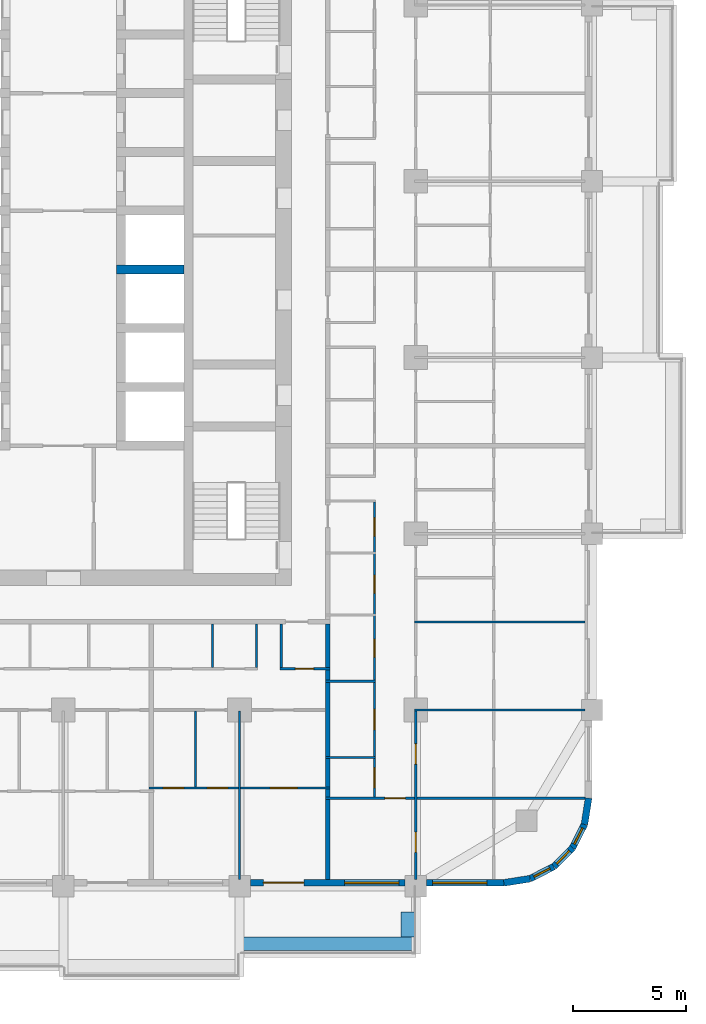
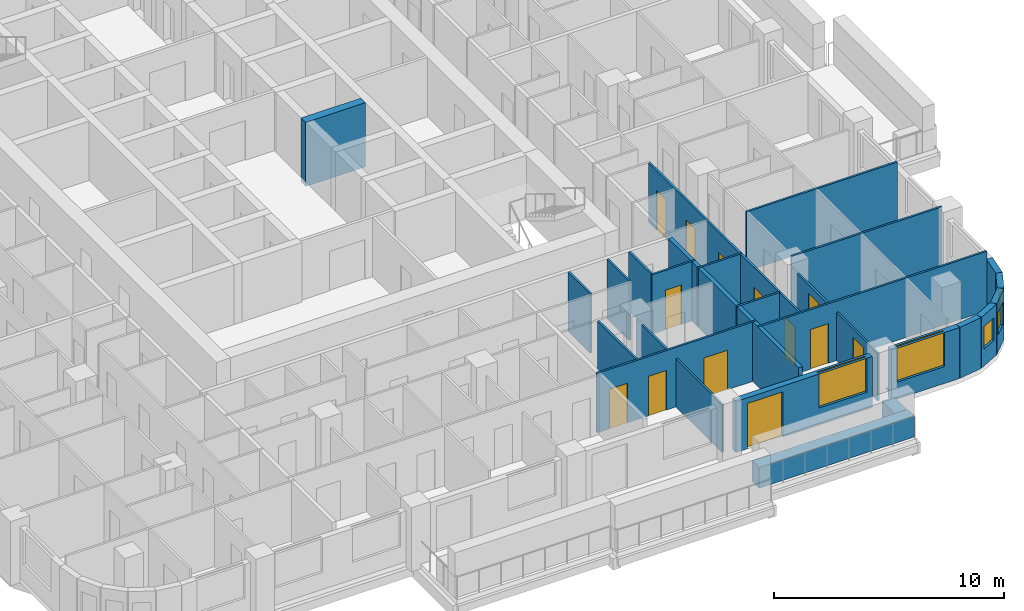
# One storey, part 7 of 17: 25 walls, 13 doors, 5 windows, 18 openings.
"""IFC4 building model written with IfcOpenShell, lengths in metres."""

import ifcopenshell
import ifcopenshell.guid

model = None  # the IFC model being written
_history = None  # IfcOwnerHistory: only IFC2X3 demands one
_inside = {}  # id of a spatial element -> (the spatial element, [elements in it])
_under = {}  # id of a project, library or spatial element -> (it, [spatial elements below it])
_declared = {}  # id of a project -> (the project, [libraries it declares])
_typed = {}  # id of a type object -> (the type object, [elements of that type])
_made_of = {}  # id of a material, layer set ... -> (it, [elements and type objects made of it])


def new_model(schema):
    """Start an empty IFC model of exactly this schema.

    Asked for "IFC4X3", IfcOpenShell would pick the latest addendum, in which some entities
    have other attributes; the version numbers below select the first issue.
    IFC2X3 requires an IfcOwnerHistory on every rooted entity: one is made here for all.
    """
    global model, _history
    if schema == "IFC4X3":
        model = ifcopenshell.file(schema_version=(4, 3, 0, 0))
    else:
        model = ifcopenshell.file(schema=schema)
    _inside.clear()
    _under.clear()
    _declared.clear()
    _typed.clear()
    _made_of.clear()
    _history = None
    if model.schema == "IFC2X3":
        org = make("IfcOrganization", Name="unknown")
        user = make(
            "IfcPersonAndOrganization",
            ThePerson=make("IfcPerson", FamilyName="unknown"),
            TheOrganization=org,
        )
        app = make(
            "IfcApplication",
            ApplicationDeveloper=org,
            Version="unknown",
            ApplicationFullName="unknown",
            ApplicationIdentifier="unknown",
        )
        _history = make(
            "IfcOwnerHistory",
            OwningUser=user,
            OwningApplication=app,
            ChangeAction="ADDED",
            CreationDate=0,
        )
    return model


def make(cls, **values):
    """One entity of the class cls with the attributes given. An attribute that is None is left unset."""
    return model.create_entity(
        cls, **{name: value for name, value in values.items() if value is not None}
    )


def rooted(cls, **values):
    """An entity with a GlobalId (a new one), such as an element, a storey or a relation."""
    return make(cls, GlobalId=ifcopenshell.guid.new(), OwnerHistory=_history, **values)


def si_unit(unit_type, name, prefix=None):
    """IfcSIUnit, for example si_unit("LENGTHUNIT", "METRE", prefix="MILLI")."""
    return make("IfcSIUnit", UnitType=unit_type, Prefix=prefix, Name=name)


def assignment(units):
    """IfcUnitAssignment: the units of a project."""
    return None if units is None else make("IfcUnitAssignment", Units=units)


def point(xyz):
    """IfcCartesianPoint."""
    return None if xyz is None else make("IfcCartesianPoint", Coordinates=xyz)


def direction(xyz):
    """IfcDirection."""
    return None if xyz is None else make("IfcDirection", DirectionRatios=xyz)


def frame(location, z_axis=None, x_axis=None):
    """IfcAxis2Placement3D, a coordinate frame: its origin and axes. An axis left out is left unset."""
    return make(
        "IfcAxis2Placement3D",
        Location=point(location),
        Axis=direction(z_axis),
        RefDirection=direction(x_axis),
    )


def frame_2d(location, x_axis=None):
    """IfcAxis2Placement2D, a coordinate frame in the plane: its origin and x axis."""
    return make(
        "IfcAxis2Placement2D", Location=point(location), RefDirection=direction(x_axis)
    )


def origin():
    """The frame at (0, 0, 0) with its axes left unset."""
    return frame((0.0, 0.0, 0.0))


def place(relative_to, where):
    """IfcLocalPlacement: puts the frame where relative to a parent placement (None: the world)."""
    return make(
        "IfcLocalPlacement", PlacementRelTo=relative_to, RelativePlacement=where
    )


def context(
    kind, dimensions, precision=None, world=None, true_north=None, identifier=None
):
    """IfcGeometricRepresentationContext, for example the 3D "Model" context."""
    return make(
        "IfcGeometricRepresentationContext",
        ContextIdentifier=identifier,
        ContextType=kind,
        CoordinateSpaceDimension=dimensions,
        Precision=precision,
        WorldCoordinateSystem=world,
        TrueNorth=true_north,
    )


def subcontext(parent, identifier, kind, view, scale=None):
    """IfcGeometricRepresentationSubContext, for example "Body" below "Model"."""
    return make(
        "IfcGeometricRepresentationSubContext",
        ContextIdentifier=identifier,
        ContextType=kind,
        ParentContext=parent,
        TargetScale=scale,
        TargetView=view,
    )


def project(units=None, contexts=None):
    """IfcProject with its units and contexts."""
    return rooted(
        "IfcProject",
        Name="project",
        RepresentationContexts=contexts,
        UnitsInContext=assignment(units),
    )


def spatial(cls, under=None, at=None, **own):
    """A site, building, storey or space (cls), placed at a placement, below another one or the project."""
    s = rooted(cls, ObjectPlacement=at, **own)
    if under is not None:
        _under.setdefault(under.id(), (under, []))[1].append(s)
    return s


def profile(cls, at=None, kind="AREA", **sizes):
    """A parametric profile (cls). Its sizes go by their IFC names, for example OverallWidth=200.0."""
    return make(cls, ProfileType=kind, Position=at, **sizes)


def rectangle(**sizes):
    """IfcRectangleProfileDef."""
    return profile("IfcRectangleProfileDef", **sizes)


def extrude(swept, where, along, depth):
    """IfcExtrudedAreaSolid: the profile swept, set in the frame where, extruded along a direction by depth."""
    return make(
        "IfcExtrudedAreaSolid",
        SweptArea=swept,
        Position=where,
        ExtrudedDirection=direction(along),
        Depth=depth,
    )


def shape(context_of_items, identifier, shape_type, items):
    """IfcShapeRepresentation: the items that make up one representation, for example the "Body"."""
    return make(
        "IfcShapeRepresentation",
        ContextOfItems=context_of_items,
        RepresentationIdentifier=identifier,
        RepresentationType=shape_type,
        Items=items,
    )


def material(Name=None, Category=None):
    """IfcMaterial."""
    return make("IfcMaterial", Name=Name, Category=Category)


def layer(
    of_material, thickness, ventilated=None, Name=None, Category=None, Priority=None
):
    """IfcMaterialLayer: one layer of a wall or slab, of a material (None: an air gap)."""
    return make(
        "IfcMaterialLayer",
        Material=of_material,
        LayerThickness=thickness,
        IsVentilated=ventilated,
        Name=Name,
        Category=Category,
        Priority=Priority,
    )


def layer_set(layers, Name=None):
    """IfcMaterialLayerSet."""
    return make("IfcMaterialLayerSet", MaterialLayers=layers, LayerSetName=Name)


def made_of(thing, what):
    """Note that an element or type object is made of a material, layer set ...; save() writes the relation."""
    if what is not None:
        _made_of.setdefault(what.id(), (what, []))[1].append(thing)
    return thing


def type_object(cls, material=None, **own):
    """A type object (cls), such as IfcWallType, which elements share."""
    return made_of(rooted(cls, **own), material)


def element(
    cls,
    number,
    at=None,
    inside=None,
    cuts=None,
    type_object=None,
    material=None,
    context=None,
    identifier="Body",
    shape_type=None,
    held_by="IfcProductDefinitionShape",
    body=None,
    shapes=None,
    **own,
):
    """One element of the class cls, such as IfcWall. Its Tag is "e" and its number.

    at: its placement. inside: the storey or other place that contains it. cuts: it is an
    opening in that element (IfcRelVoidsElement). A single representation is given by context,
    identifier, shape_type and body (its items); several are given by shapes. held_by: the class
    of the entity that holds the representations. save() writes the other relations.
    """
    e = rooted(cls, Tag="e%d" % number, ObjectPlacement=at, **own)
    if body is not None:
        shapes = [shape(context, identifier, shape_type, body)]
    if shapes is not None:
        e.Representation = make(held_by, Representations=shapes)
    if inside is not None:
        _inside.setdefault(inside.id(), (inside, []))[1].append(e)
    if cuts is not None:
        rooted(
            "IfcRelVoidsElement", RelatingBuildingElement=cuts, RelatedOpeningElement=e
        )
    if type_object is not None:
        _typed.setdefault(type_object.id(), (type_object, []))[1].append(e)
    return made_of(e, material)


def fill(opening, filler):
    """IfcRelFillsElement: the door or window that sits in an opening."""
    return rooted(
        "IfcRelFillsElement",
        RelatingOpeningElement=opening,
        RelatedBuildingElement=filler,
    )


def aggregate(whole, parts):
    """IfcRelAggregates: a whole, such as a stair, and the parts it consists of."""
    return rooted("IfcRelAggregates", RelatingObject=whole, RelatedObjects=parts)


def save(model, path):
    """Write the relations noted so far, then the file.

    IfcRelAggregates (storeys below a building ...), IfcRelContainedInSpatialStructure (elements
    in a storey), IfcRelDefinesByType, IfcRelAssociatesMaterial and IfcRelDeclares: one each for
    every whole, place, type object, material and project.
    """
    for whole, parts in _under.values():
        aggregate(whole, parts)
    for where, things in _inside.values():
        rooted(
            "IfcRelContainedInSpatialStructure",
            RelatedElements=things,
            RelatingStructure=where,
        )
    for kind, things in _typed.values():
        rooted("IfcRelDefinesByType", RelatedObjects=things, RelatingType=kind)
    for what, things in _made_of.values():
        rooted("IfcRelAssociatesMaterial", RelatedObjects=things, RelatingMaterial=what)
    for by, libraries in _declared.values():
        rooted("IfcRelDeclares", RelatingContext=by, RelatedDefinitions=libraries)
    model.write(path)


model = new_model("IFC4")

# Units and contexts
model_context = context("Model", 3, precision=1e-05, world=origin(), true_north=direction((0.0, 1.0)))
body_context = subcontext(model_context, "Body", "Model", "MODEL_VIEW")
ifc_project = project(units=[si_unit("LENGTHUNIT", "METRE"), si_unit("AREAUNIT", "SQUARE_METRE"), si_unit("VOLUMEUNIT", "CUBIC_METRE"), si_unit("PLANEANGLEUNIT", "RADIAN"), si_unit("MASSUNIT", "GRAM", prefix="KILO")], contexts=[model_context])

# Site, building, storey
site_placement = place(None, origin())
site = spatial("IfcSite", under=ifc_project, at=site_placement, CompositionType="ELEMENT")
building_placement = place(site_placement, origin())
building = spatial("IfcBuilding", under=site, at=building_placement, Name="Ludao Terraces", CompositionType="ELEMENT")
storey_placement = place(building_placement, frame((0.0, 0.0, 85.199951171875)))
storey = spatial("IfcBuildingStorey", under=building, at=storey_placement, Name="L23", CompositionType="ELEMENT", Elevation=85.199951171875)

# Walls
ifc_material_1 = material(Name="Concrete C40", Category="concrete")
ifc_layer_1 = layer(ifc_material_1, 0.60009765625)
ifc_layer_set_1 = layer_set([ifc_layer_1], Name="ENV Planter trough 600")
wall_type_1 = type_object("IfcWallType", Name="ENV Planter trough 600", PredefinedType="USERDEFINED", material=ifc_layer_set_1)
wall_1_placement = place(storey_placement, frame((92.800048828125, 39.050048828125, 0.0), z_axis=(0.0, 0.0, 1.0), x_axis=(1.0, 0.0, 0.0)))
element("IfcWall", 1, at=wall_1_placement, inside=storey, type_object=wall_type_1, Name="PL-L23-S4", ObjectType="PLANTER", PredefinedType="USERDEFINED", context=body_context, shape_type="SweptSolid", body=[
    extrude(rectangle(XDim=7.800048828125, YDim=0.60009765625, at=frame_2d((3.89990234375, 0.0))), origin(), (0.0, 0.0, 1.0), 1.10009765625),
])
wall_2_placement = place(storey_placement, frame((100.25, 39.35009765625, 0.0), z_axis=(0.0, 0.0, 1.0), x_axis=(0.0, 1.0, 0.0)))
element("IfcWall", 2, at=wall_2_placement, inside=storey, type_object=wall_type_1, Name="PL-L23-S4-SB", ObjectType="PLANTER", PredefinedType="USERDEFINED", context=body_context, shape_type="SweptSolid", body=[
    extrude(rectangle(XDim=1.099853515625, YDim=0.60009765625, at=frame_2d((0.5498046875, 0.0))), origin(), (0.0, 0.0, 1.0), 1.10009765625),
])

# Wall, openings, door, window
ifc_material_2 = material(Name="Granite cladding", Category="masonry")
ifc_layer_2 = layer(ifc_material_2, 0.0400390625, Category="stone")
ifc_material_3 = material(Name="Mineral wool")
ifc_layer_3 = layer(ifc_material_3, 0.06005859375)
ifc_layer_4 = layer(ifc_material_1, 0.199951171875, Category="concrete")
ifc_layer_set_2 = layer_set([ifc_layer_2, ifc_layer_3, ifc_layer_4], Name="ENV Stone-clad wall 300")
wall_type_2 = type_object("IfcWallType", Name="ENV Stone-clad wall 300", PredefinedType="SOLIDWALL", material=ifc_layer_set_2)
wall_3_placement = place(storey_placement, frame((93.27490234375, 41.75, 0.0), z_axis=(0.0, 0.0, 1.0), x_axis=(1.0, 0.0, 0.0)))
wall_3 = element("IfcWall", 3, at=wall_3_placement, inside=storey, type_object=wall_type_2, Name="EW-L23-S5", PredefinedType="SOLIDWALL", context=body_context, shape_type="SweptSolid", body=[
    extrude(rectangle(XDim=6.85009765625, YDim=0.300048828125, at=frame_2d((3.425048828125, 0.0))), origin(), (0.0, 0.0, 1.0), 2.699951171875),
])
opening_1_placement = place(wall_3_placement, frame((0.574951171875, 0.0, 0.0)))
opening_1 = element("IfcOpeningElement", 4, at=opening_1_placement, cuts=wall_3, Name="Opening BD", PredefinedType="OPENING", context=body_context, shape_type="SweptSolid", body=[
    extrude(rectangle(XDim=1.800048828125, YDim=2.39990234375, at=frame_2d((0.89990234375, 1.199951171875))), frame((0.0, 0.16015625, 0.0), z_axis=(0.0, -1.0, 0.0), x_axis=(1.0, 0.0, 0.0)), (0.0, 0.0, 1.0), 0.320068359375),
])
opening_2_placement = place(wall_3_placement, frame((4.175048828125, 0.0, 0.89990234375)))
opening_2 = element("IfcOpeningElement", 5, at=opening_2_placement, cuts=wall_3, Name="Opening W1", PredefinedType="OPENING", context=body_context, shape_type="SweptSolid", body=[
    extrude(rectangle(XDim=2.39990234375, YDim=1.800048828125, at=frame_2d((1.199951171875, 0.89990234375))), frame((0.0, 0.16015625, 0.0), z_axis=(0.0, -1.0, 0.0), x_axis=(1.0, 0.0, 0.0)), (0.0, 0.0, 1.0), 0.320068359375),
])
ifc_material_4 = material(Name="Aluminium glazed door", Category="aluminium")
ifc_layer_5 = layer(ifc_material_4, 0.06005859375)
ifc_layer_set_3 = layer_set([ifc_layer_5], Name="ENV Balcony door BD 1800x2400")
door_type_1 = type_object("IfcDoorType", Name="ENV Balcony door BD 1800x2400", OperationType="DOUBLE_DOOR_SINGLE_SWING", PredefinedType="DOOR", material=ifc_layer_set_3)
door_1_placement = place(opening_1_placement, origin())
door_1 = element("IfcDoor", 6, at=door_1_placement, inside=storey, type_object=door_type_1, Name="BD-L23-S5-1", OperationType="DOUBLE_DOOR_SINGLE_SWING", OverallHeight=2.39990234375, OverallWidth=1.800048828125, PredefinedType="DOOR", context=body_context, shape_type="SweptSolid", body=[
    extrude(rectangle(XDim=1.800048828125, YDim=2.39990234375, at=frame_2d((0.89990234375, 1.199951171875))), frame((0.0, 0.02490234375, 0.0), z_axis=(0.0, -1.0, 0.0), x_axis=(1.0, 0.0, 0.0)), (0.0, 0.0, 1.0), 0.050048828125),
])
fill(opening_1, door_1)
ifc_material_5 = material(Name="Clear glass in aluminium frame", Category="aluminium")
ifc_layer_6 = layer(ifc_material_5, 0.06005859375)
ifc_layer_set_4 = layer_set([ifc_layer_6], Name="ENV Window W1 2400x1800")
window_type_1 = type_object("IfcWindowType", Name="ENV Window W1 2400x1800", PartitioningType="DOUBLE_PANEL_VERTICAL", PredefinedType="WINDOW", material=ifc_layer_set_4)
window_1_placement = place(opening_2_placement, origin())
window_1 = element("IfcWindow", 7, at=window_1_placement, inside=storey, type_object=window_type_1, Name="W-L23-S5-2", OverallHeight=1.800048828125, OverallWidth=2.39990234375, PartitioningType="DOUBLE_PANEL_VERTICAL", PredefinedType="WINDOW", context=body_context, shape_type="SweptSolid", body=[
    extrude(rectangle(XDim=2.39990234375, YDim=1.800048828125, at=frame_2d((1.199951171875, 0.89990234375))), frame((0.0, 0.030029296875, 0.0), z_axis=(0.0, -1.0, 0.0), x_axis=(1.0, 0.0, 0.0)), (0.0, 0.0, 1.0), 0.06005859375),
])
fill(opening_2, window_1)

# Wall, opening, window
wall_4_placement = place(storey_placement, frame((101.074951171875, 41.75, 0.0), z_axis=(0.0, 0.0, 1.0), x_axis=(1.0, 0.0, 0.0)))
wall_4 = element("IfcWall", 8, at=wall_4_placement, inside=storey, type_object=wall_type_2, Name="EW-L23-S6", PredefinedType="SOLIDWALL", context=body_context, shape_type="SweptSolid", body=[
    extrude(rectangle(XDim=3.425048828125, YDim=0.300048828125, at=frame_2d((1.71240234375, 0.0))), origin(), (0.0, 0.0, 1.0), 2.699951171875),
])
opening_3_placement = place(wall_4_placement, frame((0.27490234375, 0.0, 0.89990234375)))
opening_3 = element("IfcOpeningElement", 9, at=opening_3_placement, cuts=wall_4, Name="Opening W1", PredefinedType="OPENING", context=body_context, shape_type="SweptSolid", body=[
    extrude(rectangle(XDim=2.39990234375, YDim=1.800048828125, at=frame_2d((1.199951171875, 0.89990234375))), frame((0.0, 0.16015625, 0.0), z_axis=(0.0, -1.0, 0.0), x_axis=(1.0, 0.0, 0.0)), (0.0, 0.0, 1.0), 0.320068359375),
])
window_2_placement = place(opening_3_placement, origin())
window_2 = element("IfcWindow", 10, at=window_2_placement, inside=storey, type_object=window_type_1, Name="W-L23-S6-1", OverallHeight=1.800048828125, OverallWidth=2.39990234375, PartitioningType="DOUBLE_PANEL_VERTICAL", PredefinedType="WINDOW", context=body_context, shape_type="SweptSolid", body=[
    extrude(rectangle(XDim=2.39990234375, YDim=1.800048828125, at=frame_2d((1.199951171875, 0.89990234375))), frame((0.0, 0.030029296875, 0.0), z_axis=(0.0, -1.0, 0.0), x_axis=(1.0, 0.0, 0.0)), (0.0, 0.0, 1.0), 0.06005859375),
])
fill(opening_3, window_2)

# Wall
wall_5_placement = place(storey_placement, frame((104.5, 41.75, 0.0), z_axis=(0.0, 0.0, 1.0), x_axis=(0.987678452879, 0.156496880861, 0.0)))
element("IfcWall", 11, at=wall_5_placement, inside=storey, type_object=wall_type_2, Name="EW-L23-SE1", PredefinedType="SOLIDWALL", context=body_context, shape_type="SweptSolid", body=[
    extrude(rectangle(XDim=1.173095703125, YDim=0.300048828125, at=frame_2d((0.58642578125, 0.0))), origin(), (0.0, 0.0, 1.0), 2.699951171875),
])

# Wall, opening, window
wall_6_placement = place(storey_placement, frame((105.65869140625, 41.93359375, 0.0), z_axis=(0.0, 0.0, 1.0), x_axis=(0.890988677504, 0.454025524128, 0.0)))
wall_6 = element("IfcWall", 12, at=wall_6_placement, inside=storey, type_object=wall_type_2, Name="EW-L23-SE2", PredefinedType="SOLIDWALL", context=body_context, shape_type="SweptSolid", body=[
    extrude(rectangle(XDim=1.17333984375, YDim=0.300048828125, at=frame_2d((0.586669921875, 0.0))), origin(), (0.0, 0.0, 1.0), 2.699951171875),
])
opening_4_placement = place(wall_6_placement, frame((0.1865234375, 0.0, 0.89990234375)))
opening_4 = element("IfcOpeningElement", 13, at=opening_4_placement, cuts=wall_6, Name="Opening W3", PredefinedType="OPENING", context=body_context, shape_type="SweptSolid", body=[
    extrude(rectangle(XDim=0.800048828125, YDim=1.199951171875, at=frame_2d((0.39990234375, 0.60009765625))), frame((0.0, 0.16015625, 0.0), z_axis=(0.0, -1.0, 0.0), x_axis=(1.0, 0.0, 0.0)), (0.0, 0.0, 1.0), 0.320068359375),
])
ifc_layer_7 = layer(ifc_material_5, 0.06005859375)
ifc_layer_set_5 = layer_set([ifc_layer_7], Name="ENV Window W3 800x1200")
window_type_2 = type_object("IfcWindowType", Name="ENV Window W3 800x1200", PartitioningType="SINGLE_PANEL", PredefinedType="WINDOW", material=ifc_layer_set_5)
window_3_placement = place(opening_4_placement, origin())
window_3 = element("IfcWindow", 14, at=window_3_placement, inside=storey, type_object=window_type_2, Name="W-L23-SE2", OverallHeight=1.199951171875, OverallWidth=0.800048828125, PartitioningType="SINGLE_PANEL", PredefinedType="WINDOW", context=body_context, shape_type="SweptSolid", body=[
    extrude(rectangle(XDim=0.800048828125, YDim=1.199951171875, at=frame_2d((0.39990234375, 0.60009765625))), frame((0.0, 0.030029296875, 0.0), z_axis=(0.0, -1.0, 0.0), x_axis=(1.0, 0.0, 0.0)), (0.0, 0.0, 1.0), 0.06005859375),
])
fill(opening_4, window_3)

wall_7_placement = place(storey_placement, frame((106.7041015625, 42.46630859375, 0.0), z_axis=(0.0, 0.0, 1.0), x_axis=(0.707106781187, 0.707106781187, 0.0)))
wall_7 = element("IfcWall", 15, at=wall_7_placement, inside=storey, type_object=wall_type_2, Name="EW-L23-SE3", PredefinedType="SOLIDWALL", context=body_context, shape_type="SweptSolid", body=[
    extrude(rectangle(XDim=1.173095703125, YDim=0.300048828125, at=frame_2d((0.58642578125, 0.0))), origin(), (0.0, 0.0, 1.0), 2.699951171875),
])
opening_5_placement = place(wall_7_placement, frame((0.1865234375, 0.0, 0.89990234375)))
opening_5 = element("IfcOpeningElement", 16, at=opening_5_placement, cuts=wall_7, Name="Opening W3", PredefinedType="OPENING", context=body_context, shape_type="SweptSolid", body=[
    extrude(rectangle(XDim=0.800048828125, YDim=1.199951171875, at=frame_2d((0.39990234375, 0.60009765625))), frame((0.0, 0.16015625, 0.0), z_axis=(0.0, -1.0, 0.0), x_axis=(1.0, 0.0, 0.0)), (0.0, 0.0, 1.0), 0.320068359375),
])
window_4_placement = place(opening_5_placement, origin())
window_4 = element("IfcWindow", 17, at=window_4_placement, inside=storey, type_object=window_type_2, Name="W-L23-SE3", OverallHeight=1.199951171875, OverallWidth=0.800048828125, PartitioningType="SINGLE_PANEL", PredefinedType="WINDOW", context=body_context, shape_type="SweptSolid", body=[
    extrude(rectangle(XDim=0.800048828125, YDim=1.199951171875, at=frame_2d((0.39990234375, 0.60009765625))), frame((0.0, 0.030029296875, 0.0), z_axis=(0.0, -1.0, 0.0), x_axis=(1.0, 0.0, 0.0)), (0.0, 0.0, 1.0), 0.06005859375),
])
fill(opening_5, window_4)

wall_8_placement = place(storey_placement, frame((107.53369140625, 43.2958984375, 0.0), z_axis=(0.0, 0.0, 1.0), x_axis=(0.454025524128, 0.890988677504, 0.0)))
wall_8 = element("IfcWall", 18, at=wall_8_placement, inside=storey, type_object=wall_type_2, Name="EW-L23-SE4", PredefinedType="SOLIDWALL", context=body_context, shape_type="SweptSolid", body=[
    extrude(rectangle(XDim=1.17333984375, YDim=0.300048828125, at=frame_2d((0.586669921875, 0.0))), origin(), (0.0, 0.0, 1.0), 2.699951171875),
])
opening_6_placement = place(wall_8_placement, frame((0.1865234375, 0.0, 0.89990234375)))
opening_6 = element("IfcOpeningElement", 19, at=opening_6_placement, cuts=wall_8, Name="Opening W3", PredefinedType="OPENING", context=body_context, shape_type="SweptSolid", body=[
    extrude(rectangle(XDim=0.800048828125, YDim=1.199951171875, at=frame_2d((0.39990234375, 0.60009765625))), frame((0.0, 0.16015625, 0.0), z_axis=(0.0, -1.0, 0.0), x_axis=(1.0, 0.0, 0.0)), (0.0, 0.0, 1.0), 0.320068359375),
])
window_5_placement = place(opening_6_placement, origin())
window_5 = element("IfcWindow", 20, at=window_5_placement, inside=storey, type_object=window_type_2, Name="W-L23-SE4", OverallHeight=1.199951171875, OverallWidth=0.800048828125, PartitioningType="SINGLE_PANEL", PredefinedType="WINDOW", context=body_context, shape_type="SweptSolid", body=[
    extrude(rectangle(XDim=0.800048828125, YDim=1.199951171875, at=frame_2d((0.39990234375, 0.60009765625))), frame((0.0, 0.030029296875, 0.0), z_axis=(0.0, -1.0, 0.0), x_axis=(1.0, 0.0, 0.0)), (0.0, 0.0, 1.0), 0.06005859375),
])
fill(opening_6, window_5)

# Wall
wall_9_placement = place(storey_placement, frame((108.06640625, 44.34130859375, 0.0), z_axis=(0.0, 0.0, 1.0), x_axis=(0.156496880861, 0.987678452879, 0.0)))
element("IfcWall", 21, at=wall_9_placement, inside=storey, type_object=wall_type_2, Name="EW-L23-SE5", PredefinedType="SOLIDWALL", context=body_context, shape_type="SweptSolid", body=[
    extrude(rectangle(XDim=1.173095703125, YDim=0.300048828125, at=frame_2d((0.58642578125, 0.0))), origin(), (0.0, 0.0, 1.0), 2.699951171875),
])

# Wall, opening, door
ifc_material_6 = material(Name="Gypsum plasterboard", Category="gypsum")
ifc_layer_8 = layer(ifc_material_6, 0.012451171875, Category="gypsum")
ifc_layer_9 = layer(ifc_material_3, 0.06005859375, Name="insulation")
ifc_material_7 = material(Name="Steel Q235", Category="steel")
ifc_layer_10 = layer(ifc_material_7, 0.014892578125, Name="stud")
ifc_layer_11 = layer(ifc_material_6, 0.012451171875, Category="gypsum")
ifc_layer_set_6 = layer_set([ifc_layer_8, ifc_layer_9, ifc_layer_10, ifc_layer_11], Name="INT Partition 100")
wall_type_3 = type_object("IfcWallType", Name="INT Partition 100", PredefinedType="PARTITIONING", material=ifc_layer_set_6)
wall_10_placement = place(storey_placement, frame((96.60009765625, 45.5, 0.0), z_axis=(0.0, 0.0, 1.0), x_axis=(1.0, 0.0, 0.0)))
wall_10 = element("IfcWall", 22, at=wall_10_placement, inside=storey, type_object=wall_type_3, Name="PW-L23-PW001", PredefinedType="PARTITIONING", context=body_context, shape_type="SweptSolid", body=[
    extrude(rectangle(XDim=11.5, YDim=0.10009765625, at=frame_2d((5.75, 0.0))), origin(), (0.0, 0.0, 1.0), 3.150146484375),
])
opening_7_placement = place(wall_10_placement, frame((2.635009765625, 0.0, 0.0)))
opening_7 = element("IfcOpeningElement", 23, at=opening_7_placement, cuts=wall_10, Name="Opening R07-006", PredefinedType="OPENING", context=body_context, shape_type="SweptSolid", body=[
    extrude(rectangle(XDim=0.89990234375, YDim=2.10009765625, at=frame_2d((0.449951171875, 1.050048828125))), frame((0.0, 0.06005859375, 0.0), z_axis=(0.0, -1.0, 0.0), x_axis=(1.0, 0.0, 0.0)), (0.0, 0.0, 1.0), 0.1201171875),
])
ifc_material_8 = material(Name="Timber door leaf", Category="wood")
door_type_2 = type_object("IfcDoorType", Name="INT Room door 900", OperationType="SINGLE_SWING_LEFT", PredefinedType="DOOR", material=ifc_material_8)
door_2_placement = place(opening_7_placement, origin())
door_2 = element("IfcDoor", 24, at=door_2_placement, inside=storey, type_object=door_type_2, Name="DOOR 006", OperationType="SINGLE_SWING_LEFT", OverallHeight=2.10009765625, OverallWidth=0.89990234375, PredefinedType="DOOR", context=body_context, shape_type="SweptSolid", body=[
    extrude(rectangle(XDim=0.89990234375, YDim=2.10009765625, at=frame_2d((0.449951171875, 1.050048828125))), frame((0.0, 0.02490234375, 0.0), z_axis=(0.0, -1.0, 0.0), x_axis=(1.0, 0.0, 0.0)), (0.0, 0.0, 1.0), 0.050048828125),
])
fill(opening_7, door_2)

# Wall, openings, doors
wall_11_placement = place(storey_placement, frame((88.800048828125, 45.949951171875, 0.0), z_axis=(0.0, 0.0, 1.0), x_axis=(1.0, 0.0, 0.0)))
wall_11 = element("IfcWall", 25, at=wall_11_placement, inside=storey, type_object=wall_type_3, Name="PW-L23-PW003", PredefinedType="PARTITIONING", context=body_context, shape_type="SweptSolid", body=[
    extrude(rectangle(XDim=8.0, YDim=0.10009765625, at=frame_2d((4.0, 0.0))), origin(), (0.0, 0.0, 1.0), 3.150146484375),
])
opening_8_placement = place(wall_11_placement, frame((0.625, 0.0, 0.0)))
opening_8 = element("IfcOpeningElement", 26, at=opening_8_placement, cuts=wall_11, Name="Opening R07-014", PredefinedType="OPENING", context=body_context, shape_type="SweptSolid", body=[
    extrude(rectangle(XDim=0.89990234375, YDim=2.10009765625, at=frame_2d((0.449951171875, 1.050048828125))), frame((0.0, 0.06005859375, 0.0), z_axis=(0.0, -1.0, 0.0), x_axis=(1.0, 0.0, 0.0)), (0.0, 0.0, 1.0), 0.1201171875),
])
opening_9_placement = place(wall_11_placement, frame((2.574951171875, 0.0, 0.0)))
opening_9 = element("IfcOpeningElement", 27, at=opening_9_placement, cuts=wall_11, Name="Opening R07-015", PredefinedType="OPENING", context=body_context, shape_type="SweptSolid", body=[
    extrude(rectangle(XDim=0.89990234375, YDim=2.10009765625, at=frame_2d((0.449951171875, 1.050048828125))), frame((0.0, 0.06005859375, 0.0), z_axis=(0.0, -1.0, 0.0), x_axis=(1.0, 0.0, 0.0)), (0.0, 0.0, 1.0), 0.1201171875),
])
opening_10_placement = place(wall_11_placement, frame((5.35009765625, 0.0, 0.0)))
opening_10 = element("IfcOpeningElement", 28, at=opening_10_placement, cuts=wall_11, Name="Opening R07-016", PredefinedType="OPENING", context=body_context, shape_type="SweptSolid", body=[
    extrude(rectangle(XDim=1.199951171875, YDim=2.10009765625, at=frame_2d((0.60009765625, 1.050048828125))), frame((0.0, 0.06005859375, 0.0), z_axis=(0.0, -1.0, 0.0), x_axis=(1.0, 0.0, 0.0)), (0.0, 0.0, 1.0), 0.1201171875),
])
door_type_3 = type_object("IfcDoorType", Name="INT Bathroom door 900", OperationType="SINGLE_SWING_LEFT", PredefinedType="DOOR", material=ifc_material_8)
door_3_placement = place(opening_8_placement, origin())
door_3 = element("IfcDoor", 29, at=door_3_placement, inside=storey, type_object=door_type_3, Name="DOOR 014", OperationType="SINGLE_SWING_LEFT", OverallHeight=2.10009765625, OverallWidth=0.89990234375, PredefinedType="DOOR", context=body_context, shape_type="SweptSolid", body=[
    extrude(rectangle(XDim=0.89990234375, YDim=2.10009765625, at=frame_2d((0.449951171875, 1.050048828125))), frame((0.0, 0.02490234375, 0.0), z_axis=(0.0, -1.0, 0.0), x_axis=(1.0, 0.0, 0.0)), (0.0, 0.0, 1.0), 0.050048828125),
])
fill(opening_8, door_3)
door_type_4 = type_object("IfcDoorType", Name="INT Double door 1200", OperationType="DOUBLE_DOOR_SINGLE_SWING", PredefinedType="DOOR", material=ifc_material_8)
door_4_placement = place(opening_10_placement, origin())
door_4 = element("IfcDoor", 30, at=door_4_placement, inside=storey, type_object=door_type_4, Name="DOOR 016", OperationType="DOUBLE_DOOR_SINGLE_SWING", OverallHeight=2.10009765625, OverallWidth=1.199951171875, PredefinedType="DOOR", context=body_context, shape_type="SweptSolid", body=[
    extrude(rectangle(XDim=1.199951171875, YDim=2.10009765625, at=frame_2d((0.60009765625, 1.050048828125))), frame((0.0, 0.02490234375, 0.0), z_axis=(0.0, -1.0, 0.0), x_axis=(1.0, 0.0, 0.0)), (0.0, 0.0, 1.0), 0.050048828125),
])
fill(opening_10, door_4)
door_5_placement = place(opening_9_placement, origin())
door_5 = element("IfcDoor", 31, at=door_5_placement, inside=storey, type_object=door_type_2, Name="DOOR 015", OperationType="SINGLE_SWING_RIGHT", OverallHeight=2.10009765625, OverallWidth=0.89990234375, PredefinedType="DOOR", context=body_context, shape_type="SweptSolid", body=[
    extrude(rectangle(XDim=0.89990234375, YDim=2.10009765625, at=frame_2d((0.449951171875, 1.050048828125))), frame((0.0, 0.02490234375, 0.0), z_axis=(0.0, -1.0, 0.0), x_axis=(1.0, 0.0, 0.0)), (0.0, 0.0, 1.0), 0.050048828125),
])
fill(opening_9, door_5)

# Walls
wall_12_placement = place(storey_placement, frame((96.60009765625, 47.300048828125, 0.0), z_axis=(0.0, 0.0, 1.0), x_axis=(1.0, 0.0, 0.0)))
element("IfcWall", 32, at=wall_12_placement, inside=storey, type_object=wall_type_3, Name="PW-L23-PW004", PredefinedType="PARTITIONING", context=body_context, shape_type="SweptSolid", body=[
    extrude(rectangle(XDim=2.219970703125, YDim=0.10009765625, at=frame_2d((1.10986328125, 0.0))), origin(), (0.0, 0.0, 1.0), 3.150146484375),
])
wall_13_placement = place(storey_placement, frame((100.550048828125, 49.39990234375, 0.0), z_axis=(0.0, 0.0, 1.0), x_axis=(1.0, 0.0, 0.0)))
element("IfcWall", 33, at=wall_13_placement, inside=storey, type_object=wall_type_3, Name="PW-L23-PW009", PredefinedType="PARTITIONING", context=body_context, shape_type="SweptSolid", body=[
    extrude(rectangle(XDim=7.550048828125, YDim=0.10009765625, at=frame_2d((3.77490234375, 0.0))), origin(), (0.0, 0.0, 1.0), 3.150146484375),
])
wall_14_placement = place(storey_placement, frame((96.60009765625, 50.669921875, 0.0), z_axis=(0.0, 0.0, 1.0), x_axis=(1.0, 0.0, 0.0)))
element("IfcWall", 34, at=wall_14_placement, inside=storey, type_object=wall_type_3, Name="PW-L23-PW011", PredefinedType="PARTITIONING", context=body_context, shape_type="SweptSolid", body=[
    extrude(rectangle(XDim=2.219970703125, YDim=0.10009765625, at=frame_2d((1.10986328125, 0.0))), origin(), (0.0, 0.0, 1.0), 3.150146484375),
])

# Wall, opening, door
wall_15_placement = place(storey_placement, frame((94.60009765625, 51.22998046875, 0.0), z_axis=(0.0, 0.0, 1.0), x_axis=(1.0, 0.0, 0.0)))
wall_15 = element("IfcWall", 35, at=wall_15_placement, inside=storey, type_object=wall_type_3, Name="PW-L23-PW014", PredefinedType="PARTITIONING", context=body_context, shape_type="SweptSolid", body=[
    extrude(rectangle(XDim=2.199951171875, YDim=0.10009765625, at=frame_2d((1.10009765625, 0.0))), origin(), (0.0, 0.0, 1.0), 3.150146484375),
])
opening_11_placement = place(wall_15_placement, frame((0.675048828125, 0.0, 0.0)))
opening_11 = element("IfcOpeningElement", 36, at=opening_11_placement, cuts=wall_15, Name="Opening R07-040", PredefinedType="OPENING", context=body_context, shape_type="SweptSolid", body=[
    extrude(rectangle(XDim=0.800048828125, YDim=2.10009765625, at=frame_2d((0.39990234375, 1.050048828125))), frame((0.0, 0.06005859375, 0.0), z_axis=(0.0, -1.0, 0.0), x_axis=(1.0, 0.0, 0.0)), (0.0, 0.0, 1.0), 0.1201171875),
])
door_type_5 = type_object("IfcDoorType", Name="INT Store door 800", OperationType="SINGLE_SWING_LEFT", PredefinedType="DOOR", material=ifc_material_8)
door_6_placement = place(opening_11_placement, origin())
door_6 = element("IfcDoor", 37, at=door_6_placement, inside=storey, type_object=door_type_5, Name="DOOR 040", OperationType="SINGLE_SWING_LEFT", OverallHeight=2.10009765625, OverallWidth=0.800048828125, PredefinedType="DOOR", context=body_context, shape_type="SweptSolid", body=[
    extrude(rectangle(XDim=0.800048828125, YDim=2.10009765625, at=frame_2d((0.39990234375, 1.050048828125))), frame((0.0, 0.02490234375, 0.0), z_axis=(0.0, -1.0, 0.0), x_axis=(1.0, 0.0, 0.0)), (0.0, 0.0, 1.0), 0.050048828125),
])
fill(opening_11, door_6)

# Walls
wall_16_placement = place(storey_placement, frame((100.550048828125, 53.300048828125, 0.0), z_axis=(0.0, 0.0, 1.0), x_axis=(1.0, 0.0, 0.0)))
element("IfcWall", 38, at=wall_16_placement, inside=storey, type_object=wall_type_3, Name="PW-L23-PW018", PredefinedType="PARTITIONING", context=body_context, shape_type="SweptSolid", body=[
    extrude(rectangle(XDim=7.550048828125, YDim=0.10009765625, at=frame_2d((3.77490234375, 0.0))), origin(), (0.0, 0.0, 1.0), 3.150146484375),
])
wall_17_placement = place(storey_placement, frame((90.85009765625, 46.0, 0.0), z_axis=(0.0, 0.0, 1.0), x_axis=(0.0, 1.0, 0.0)))
element("IfcWall", 39, at=wall_17_placement, inside=storey, type_object=wall_type_3, Name="PW-L23-PW108", PredefinedType="PARTITIONING", context=body_context, shape_type="SweptSolid", body=[
    extrude(rectangle(XDim=3.35009765625, YDim=0.10009765625, at=frame_2d((1.675048828125, 0.0))), origin(), (0.0, 0.0, 1.0), 3.150146484375),
])
wall_18_placement = place(storey_placement, frame((91.60009765625, 51.280029296875, 0.0), z_axis=(0.0, 0.0, 1.0), x_axis=(0.0, 1.0, 0.0)))
element("IfcWall", 40, at=wall_18_placement, inside=storey, type_object=wall_type_3, Name="PW-L23-PW109", PredefinedType="PARTITIONING", context=body_context, shape_type="SweptSolid", body=[
    extrude(rectangle(XDim=1.920166015625, YDim=0.10009765625, at=frame_2d((0.9599609375, 0.0))), origin(), (0.0, 0.0, 1.0), 3.150146484375),
])
wall_19_placement = place(storey_placement, frame((92.800048828125, 41.900146484375, 0.0), z_axis=(0.0, 0.0, 1.0), x_axis=(0.0, 1.0, 0.0)))
element("IfcWall", 41, at=wall_19_placement, inside=storey, type_object=wall_type_3, Name="PW-L23-PW110", PredefinedType="PARTITIONING", context=body_context, shape_type="SweptSolid", body=[
    extrude(rectangle(XDim=7.449951171875, YDim=0.10009765625, at=frame_2d((3.72509765625, 0.0))), origin(), (0.0, 0.0, 1.0), 2.550048828125),
])
for number, where, z_axis, x_axis, name in (
    (42, (93.550048828125, 51.280029296875, 0.0), (0.0, 0.0, 1.0), (0.0, 1.0, 0.0), "PW-L23-PW112"),
    (43, (94.64990234375, 51.280029296875, 0.0), (0.0, 0.0, 1.0), (0.0, 1.0, 0.0), "PW-L23-PW113"),
):
    element("IfcWall", number, at=place(storey_placement, frame(where, z_axis=z_axis, x_axis=x_axis)), inside=storey, type_object=wall_type_3, Name=name, PredefinedType="PARTITIONING", context=body_context, shape_type="SweptSolid", body=[
        extrude(rectangle(XDim=1.920166015625, YDim=0.10009765625, at=frame_2d((0.9599609375, 0.0))), origin(), (0.0, 0.0, 1.0), 3.150146484375),
    ])

# Wall, openings, doors
wall_20_placement = place(storey_placement, frame((98.77001953125, 45.550048828125, 0.0), z_axis=(0.0, 0.0, 1.0), x_axis=(0.0, 1.0, 0.0)))
wall_20 = element("IfcWall", 44, at=wall_20_placement, inside=storey, type_object=wall_type_3, Name="PW-L23-PW117", PredefinedType="PARTITIONING", context=body_context, shape_type="SweptSolid", body=[
    extrude(rectangle(XDim=13.050048828125, YDim=0.10009765625, at=frame_2d((6.52490234375, 0.0))), origin(), (0.0, 0.0, 1.0), 3.150146484375),
])
opening_12_placement = place(wall_20_placement, frame((0.39990234375, 0.0, 0.0)))
opening_12 = element("IfcOpeningElement", 45, at=opening_12_placement, cuts=wall_20, Name="Opening R07-017", PredefinedType="OPENING", context=body_context, shape_type="SweptSolid", body=[
    extrude(rectangle(XDim=0.89990234375, YDim=2.10009765625, at=frame_2d((0.449951171875, 1.050048828125))), frame((0.0, 0.06005859375, 0.0), z_axis=(0.0, -1.0, 0.0), x_axis=(1.0, 0.0, 0.0)), (0.0, 0.0, 1.0), 0.1201171875),
])
opening_13_placement = place(wall_20_placement, frame((2.985107421875, 0.0, 0.0)))
opening_13 = element("IfcOpeningElement", 46, at=opening_13_placement, cuts=wall_20, Name="Opening R07-024", PredefinedType="OPENING", context=body_context, shape_type="SweptSolid", body=[
    extrude(rectangle(XDim=0.89990234375, YDim=2.10009765625, at=frame_2d((0.449951171875, 1.050048828125))), frame((0.0, 0.06005859375, 0.0), z_axis=(0.0, -1.0, 0.0), x_axis=(1.0, 0.0, 0.0)), (0.0, 0.0, 1.0), 0.1201171875),
])
opening_14_placement = place(wall_20_placement, frame((6.18505859375, 0.0, 0.0)))
opening_14 = element("IfcOpeningElement", 47, at=opening_14_placement, cuts=wall_20, Name="Opening R07-046", PredefinedType="OPENING", context=body_context, shape_type="SweptSolid", body=[
    extrude(rectangle(XDim=0.800048828125, YDim=2.10009765625, at=frame_2d((0.39990234375, 1.050048828125))), frame((0.0, 0.06005859375, 0.0), z_axis=(0.0, -1.0, 0.0), x_axis=(1.0, 0.0, 0.0)), (0.0, 0.0, 1.0), 0.1201171875),
])
opening_15_placement = place(wall_20_placement, frame((9.02490234375, 0.0, 0.0)))
opening_15 = element("IfcOpeningElement", 48, at=opening_15_placement, cuts=wall_20, Name="Opening R07-052", PredefinedType="OPENING", context=body_context, shape_type="SweptSolid", body=[
    extrude(rectangle(XDim=0.800048828125, YDim=2.10009765625, at=frame_2d((0.39990234375, 1.050048828125))), frame((0.0, 0.06005859375, 0.0), z_axis=(0.0, -1.0, 0.0), x_axis=(1.0, 0.0, 0.0)), (0.0, 0.0, 1.0), 0.1201171875),
])
opening_16_placement = place(wall_20_placement, frame((11.550048828125, 0.0, 0.0)))
opening_16 = element("IfcOpeningElement", 49, at=opening_16_placement, cuts=wall_20, Name="Opening R07-059", PredefinedType="OPENING", context=body_context, shape_type="SweptSolid", body=[
    extrude(rectangle(XDim=0.800048828125, YDim=2.10009765625, at=frame_2d((0.39990234375, 1.050048828125))), frame((0.0, 0.06005859375, 0.0), z_axis=(0.0, -1.0, 0.0), x_axis=(1.0, 0.0, 0.0)), (0.0, 0.0, 1.0), 0.1201171875),
])
door_7_placement = place(opening_12_placement, origin())
door_7 = element("IfcDoor", 50, at=door_7_placement, inside=storey, type_object=door_type_3, Name="DOOR 017", OperationType="SINGLE_SWING_LEFT", OverallHeight=2.10009765625, OverallWidth=0.89990234375, PredefinedType="DOOR", context=body_context, shape_type="SweptSolid", body=[
    extrude(rectangle(XDim=0.89990234375, YDim=2.10009765625, at=frame_2d((0.449951171875, 1.050048828125))), frame((0.0, 0.02490234375, 0.0), z_axis=(0.0, -1.0, 0.0), x_axis=(1.0, 0.0, 0.0)), (0.0, 0.0, 1.0), 0.050048828125),
])
fill(opening_12, door_7)
door_8_placement = place(opening_13_placement, origin())
door_8 = element("IfcDoor", 51, at=door_8_placement, inside=storey, type_object=door_type_2, Name="DOOR 024", OperationType="SINGLE_SWING_LEFT", OverallHeight=2.10009765625, OverallWidth=0.89990234375, PredefinedType="DOOR", context=body_context, shape_type="SweptSolid", body=[
    extrude(rectangle(XDim=0.89990234375, YDim=2.10009765625, at=frame_2d((0.449951171875, 1.050048828125))), frame((0.0, 0.02490234375, 0.0), z_axis=(0.0, -1.0, 0.0), x_axis=(1.0, 0.0, 0.0)), (0.0, 0.0, 1.0), 0.050048828125),
])
fill(opening_13, door_8)
door_9_placement = place(opening_14_placement, origin())
door_9 = element("IfcDoor", 52, at=door_9_placement, inside=storey, type_object=door_type_5, Name="DOOR 046", OperationType="SINGLE_SWING_LEFT", OverallHeight=2.10009765625, OverallWidth=0.800048828125, PredefinedType="DOOR", context=body_context, shape_type="SweptSolid", body=[
    extrude(rectangle(XDim=0.800048828125, YDim=2.10009765625, at=frame_2d((0.39990234375, 1.050048828125))), frame((0.0, 0.02490234375, 0.0), z_axis=(0.0, -1.0, 0.0), x_axis=(1.0, 0.0, 0.0)), (0.0, 0.0, 1.0), 0.050048828125),
])
fill(opening_14, door_9)
door_10_placement = place(opening_15_placement, origin())
door_10 = element("IfcDoor", 53, at=door_10_placement, inside=storey, type_object=door_type_5, Name="DOOR 052", OperationType="SINGLE_SWING_LEFT", OverallHeight=2.10009765625, OverallWidth=0.800048828125, PredefinedType="DOOR", context=body_context, shape_type="SweptSolid", body=[
    extrude(rectangle(XDim=0.800048828125, YDim=2.10009765625, at=frame_2d((0.39990234375, 1.050048828125))), frame((0.0, 0.02490234375, 0.0), z_axis=(0.0, -1.0, 0.0), x_axis=(1.0, 0.0, 0.0)), (0.0, 0.0, 1.0), 0.050048828125),
])
fill(opening_15, door_10)
door_11_placement = place(opening_16_placement, origin())
door_11 = element("IfcDoor", 54, at=door_11_placement, inside=storey, type_object=door_type_5, Name="DOOR 059", OperationType="SINGLE_SWING_LEFT", OverallHeight=2.10009765625, OverallWidth=0.800048828125, PredefinedType="DOOR", context=body_context, shape_type="SweptSolid", body=[
    extrude(rectangle(XDim=0.800048828125, YDim=2.10009765625, at=frame_2d((0.39990234375, 1.050048828125))), frame((0.0, 0.02490234375, 0.0), z_axis=(0.0, -1.0, 0.0), x_axis=(1.0, 0.0, 0.0)), (0.0, 0.0, 1.0), 0.050048828125),
])
fill(opening_16, door_11)

wall_21_placement = place(storey_placement, frame((100.60009765625, 41.900146484375, 0.0), z_axis=(0.0, 0.0, 1.0), x_axis=(0.0, 1.0, 0.0)))
wall_21 = element("IfcWall", 55, at=wall_21_placement, inside=storey, type_object=wall_type_3, Name="PW-L23-PW121", PredefinedType="PARTITIONING", context=body_context, shape_type="SweptSolid", body=[
    extrude(rectangle(XDim=7.499755859375, YDim=0.10009765625, at=frame_2d((3.75, 0.0))), origin(), (0.0, 0.0, 1.0), 2.550048828125),
])
opening_17_placement = place(wall_21_placement, frame((1.199951171875, 0.0, 0.0)))
opening_17 = element("IfcOpeningElement", 56, at=opening_17_placement, cuts=wall_21, Name="Opening R07-003", PredefinedType="OPENING", context=body_context, shape_type="SweptSolid", body=[
    extrude(rectangle(XDim=0.89990234375, YDim=2.10009765625, at=frame_2d((0.449951171875, 1.050048828125))), frame((0.0, 0.06005859375, 0.0), z_axis=(0.0, -1.0, 0.0), x_axis=(1.0, 0.0, 0.0)), (0.0, 0.0, 1.0), 0.1201171875),
])
opening_18_placement = place(wall_21_placement, frame((5.10009765625, 0.0, 0.0)))
opening_18 = element("IfcOpeningElement", 57, at=opening_18_placement, cuts=wall_21, Name="Opening R07-020", PredefinedType="OPENING", context=body_context, shape_type="SweptSolid", body=[
    extrude(rectangle(XDim=0.89990234375, YDim=2.10009765625, at=frame_2d((0.449951171875, 1.050048828125))), frame((0.0, 0.06005859375, 0.0), z_axis=(0.0, -1.0, 0.0), x_axis=(1.0, 0.0, 0.0)), (0.0, 0.0, 1.0), 0.1201171875),
])
door_12_placement = place(opening_17_placement, origin())
door_12 = element("IfcDoor", 58, at=door_12_placement, inside=storey, type_object=door_type_2, Name="DOOR 003", OperationType="SINGLE_SWING_RIGHT", OverallHeight=2.10009765625, OverallWidth=0.89990234375, PredefinedType="DOOR", context=body_context, shape_type="SweptSolid", body=[
    extrude(rectangle(XDim=0.89990234375, YDim=2.10009765625, at=frame_2d((0.449951171875, 1.050048828125))), frame((0.0, 0.02490234375, 0.0), z_axis=(0.0, -1.0, 0.0), x_axis=(1.0, 0.0, 0.0)), (0.0, 0.0, 1.0), 0.050048828125),
])
fill(opening_17, door_12)
door_13_placement = place(opening_18_placement, origin())
door_13 = element("IfcDoor", 59, at=door_13_placement, inside=storey, type_object=door_type_2, Name="DOOR 020", OperationType="SINGLE_SWING_RIGHT", OverallHeight=2.10009765625, OverallWidth=0.89990234375, PredefinedType="DOOR", context=body_context, shape_type="SweptSolid", body=[
    extrude(rectangle(XDim=0.89990234375, YDim=2.10009765625, at=frame_2d((0.449951171875, 1.050048828125))), frame((0.0, 0.02490234375, 0.0), z_axis=(0.0, -1.0, 0.0), x_axis=(1.0, 0.0, 0.0)), (0.0, 0.0, 1.0), 0.050048828125),
])
fill(opening_18, door_13)

# Walls
ifc_material_9 = material(Name="Autoclaved aerated concrete block B06 A3.5", Category="concrete")
ifc_layer_12 = layer(ifc_material_9, 0.199951171875)
ifc_layer_set_7 = layer_set([ifc_layer_12], Name="INT Party wall 200")
wall_type_4 = type_object("IfcWallType", Name="INT Party wall 200", PredefinedType="PARTITIONING", material=ifc_layer_set_7)
wall_22_placement = place(storey_placement, frame((96.699951171875, 41.900146484375, 0.0), z_axis=(0.0, 0.0, 1.0), x_axis=(0.0, 1.0, 0.0)))
element("IfcWall", 60, at=wall_22_placement, inside=storey, type_object=wall_type_4, Name="PW-L23-PW114", PredefinedType="PARTITIONING", context=body_context, shape_type="SweptSolid", body=[
    extrude(rectangle(XDim=11.300048828125, YDim=0.199951171875, at=frame_2d((5.64990234375, 0.0))), origin(), (0.0, 0.0, 1.0), 3.150146484375),
])
ifc_material_10 = material(Name="Concrete C60", Category="concrete")
ifc_layer_13 = layer(ifc_material_10, 0.39990234375)
ifc_layer_set_8 = layer_set([ifc_layer_13], Name="Shaft wall 400 C60")
wall_type_5 = type_object("IfcWallType", Name="Shaft wall 400 C60", PredefinedType="SOLIDWALL", material=ifc_layer_set_8)
wall_23_placement = place(storey_placement, frame((87.35009765625, 68.89990234375, -0.25), z_axis=(0.0, 0.0, 1.0), x_axis=(1.0, 0.0, 0.0)))
element("IfcWall", 61, at=wall_23_placement, inside=storey, type_object=wall_type_5, Name="Core wall L23 div-E4", PredefinedType="SOLIDWALL", context=body_context, shape_type="SweptSolid", body=[
    extrude(rectangle(XDim=3.0, YDim=0.39990234375, at=frame_2d((1.5, 0.0))), origin(), (0.0, 0.0, 1.0), 3.400146484375),
])

save(model, "model.ifc")
